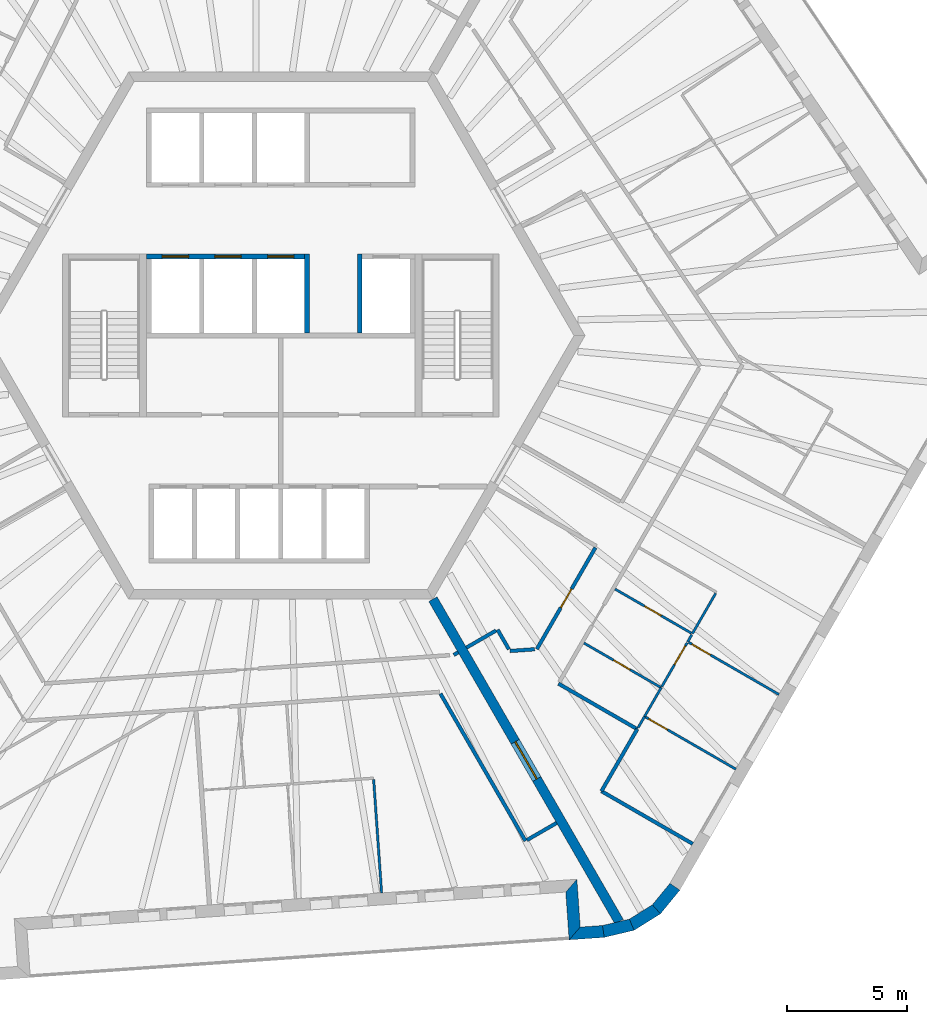
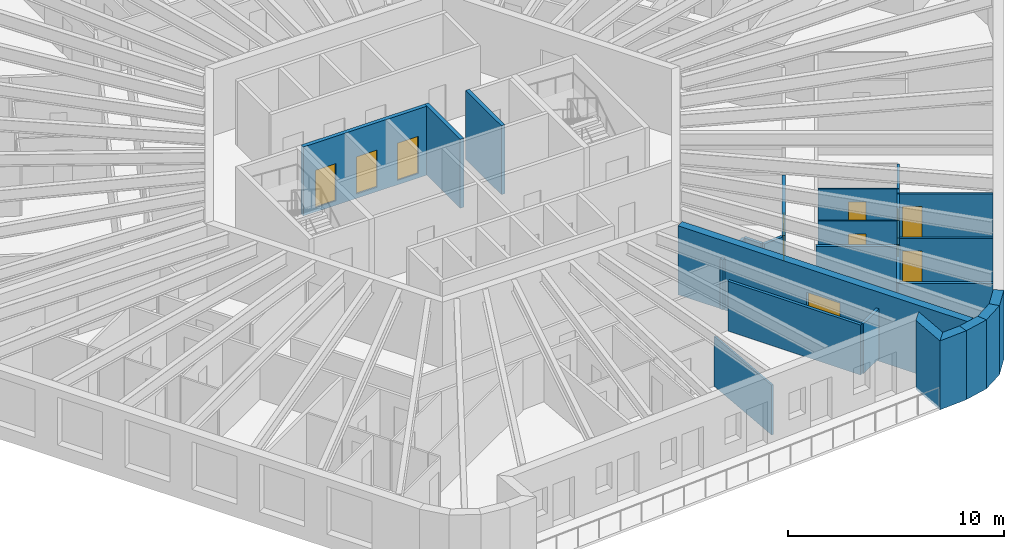
# One storey, part 6 of 12: 29 walls, 10 doors, 10 openings.
"""IFC4 building model written with IfcOpenShell, lengths in metres."""

from ifc_helpers import new_model, si_unit, direction, frame, frame_2d, origin, place, context, subcontext, project, spatial, polyline, rectangle, outline, extrude, material, layer, layer_set, type_object, element, fill, save


model = new_model("IFC4")

# Units and contexts
model_context = context("Model", 3, precision=1e-05, world=origin(), true_north=direction((0.0, 1.0)))
body_context = subcontext(model_context, "Body", "Model", "MODEL_VIEW")
ifc_project = project(units=[si_unit("LENGTHUNIT", "METRE"), si_unit("AREAUNIT", "SQUARE_METRE"), si_unit("VOLUMEUNIT", "CUBIC_METRE"), si_unit("PLANEANGLEUNIT", "RADIAN"), si_unit("MASSUNIT", "GRAM", prefix="KILO")], contexts=[model_context])

# Site, building, storey
site_placement = place(None, origin())
site = spatial("IfcSite", under=ifc_project, at=site_placement, CompositionType="ELEMENT")
building_placement = place(site_placement, origin())
building = spatial("IfcBuilding", under=site, at=building_placement, Name="Tarnside Tower", CompositionType="ELEMENT")
storey_placement = place(building_placement, frame((0.0, 0.0, 264.0)))
storey = spatial("IfcBuildingStorey", under=building, at=storey_placement, Name="L63", CompositionType="ELEMENT", Elevation=264.0)

# Wall
ifc_material_1 = material(Name="Gypsum board partition on steel studs", Category="steel")
ifc_layer_1 = layer(ifc_material_1, 0.10009765625)
ifc_layer_set_1 = layer_set([ifc_layer_1], Name="Bathroom wall 100")
wall_type_1 = type_object("IfcWallType", Name="Bathroom wall 100", PredefinedType="PARTITIONING", material=ifc_layer_set_1)
wall_1_placement = place(storey_placement, frame((18.155029296875, -10.75439453125, 0.0), z_axis=(0.0, 0.0, 1.0), x_axis=(-0.49989585183, -0.866085525409, 0.0)))
element("IfcWall", 1, at=wall_1_placement, inside=storey, type_object=wall_type_1, Name="Bathroom wall 20142", PredefinedType="PARTITIONING", context=body_context, shape_type="SweptSolid", body=[
    extrude(rectangle(XDim=1.9501953125, YDim=0.10009765625, at=frame_2d((0.97509765625, 0.0))), origin(), (0.0, 0.0, 1.0), 2.823486328125),
])

# Wall, opening, door
wall_2_placement = place(storey_placement, frame((12.654052734375, -12.83251953125, 0.0), z_axis=(0.0, 0.0, 1.0), x_axis=(0.866056803351, -0.499945610411, 0.0)))
wall_2 = element("IfcWall", 2, at=wall_2_placement, inside=storey, type_object=wall_type_1, Name="Bathroom wall 20145", PredefinedType="PARTITIONING", context=body_context, shape_type="SweptSolid", body=[
    extrude(rectangle(XDim=3.72509765625, YDim=0.10009765625, at=frame_2d((1.862548828125, 0.0))), origin(), (0.0, 0.0, 1.0), 2.823486328125),
])
opening_1_placement = place(wall_2_placement, frame((1.425048828125, 0.0, 0.0)))
opening_1 = element("IfcOpeningElement", 3, at=opening_1_placement, cuts=wall_2, Name="Opening D-B1", PredefinedType="OPENING", context=body_context, shape_type="SweptSolid", body=[
    extrude(rectangle(XDim=0.800048828125, YDim=2.10009765625, at=frame_2d((0.39990234375, 1.050048828125))), frame((0.0, 0.06005859375, 0.0), z_axis=(0.0, -1.0, 0.0), x_axis=(1.0, 0.0, 0.0)), (0.0, 0.0, 1.0), 0.1201171875),
])
ifc_material_2 = material(Name="Timber door leaf", Category="wood")
door_type_1 = type_object("IfcDoorType", Name="Bathroom door 800", OperationType="NOTDEFINED", PredefinedType="DOOR", material=ifc_material_2)
door_1_placement = place(opening_1_placement, origin())
door_1 = element("IfcDoor", 4, at=door_1_placement, inside=storey, type_object=door_type_1, Name="Bathroom door 20051", OperationType="SINGLE_SWING_RIGHT", OverallHeight=2.10009765625, OverallWidth=0.800048828125, PredefinedType="DOOR", context=body_context, shape_type="SweptSolid", body=[
    extrude(rectangle(XDim=0.800048828125, YDim=2.10009765625, at=frame_2d((0.39990234375, 1.050048828125))), frame((0.0, 0.02490234375, 0.0), z_axis=(0.0, -1.0, 0.0), x_axis=(1.0, 0.0, 0.0)), (0.0, 0.0, 1.0), 0.050048828125),
])
fill(opening_1, door_1)

wall_3_placement = place(storey_placement, frame((17.13671875, -12.418212890625, 0.0), z_axis=(0.0, 0.0, 1.0), x_axis=(-0.866035129944, 0.499983153418, 0.0)))
wall_3 = element("IfcWall", 5, at=wall_3_placement, inside=storey, type_object=wall_type_1, Name="Bathroom wall 20147", PredefinedType="PARTITIONING", context=body_context, shape_type="SweptSolid", body=[
    extrude(rectangle(XDim=3.675048828125, YDim=0.10009765625, at=frame_2d((1.83740234375, 0.0))), origin(), (0.0, 0.0, 1.0), 2.823486328125),
])
opening_2_placement = place(wall_3_placement, frame((1.449951171875, 0.0, 0.0)))
opening_2 = element("IfcOpeningElement", 6, at=opening_2_placement, cuts=wall_3, Name="Opening D-B1", PredefinedType="OPENING", context=body_context, shape_type="SweptSolid", body=[
    extrude(rectangle(XDim=0.800048828125, YDim=2.10009765625, at=frame_2d((0.39990234375, 1.050048828125))), frame((0.0, 0.06005859375, 0.0), z_axis=(0.0, -1.0, 0.0), x_axis=(1.0, 0.0, 0.0)), (0.0, 0.0, 1.0), 0.1201171875),
])
door_2_placement = place(opening_2_placement, origin())
door_2 = element("IfcDoor", 7, at=door_2_placement, inside=storey, type_object=door_type_1, Name="Bathroom door 20060", OperationType="SINGLE_SWING_RIGHT", OverallHeight=2.10009765625, OverallWidth=0.800048828125, PredefinedType="DOOR", context=body_context, shape_type="SweptSolid", body=[
    extrude(rectangle(XDim=0.800048828125, YDim=2.10009765625, at=frame_2d((0.39990234375, 1.050048828125))), frame((0.0, 0.02490234375, 0.0), z_axis=(0.0, -1.0, 0.0), x_axis=(1.0, 0.0, 0.0)), (0.0, 0.0, 1.0), 0.050048828125),
])
fill(opening_2, door_2)

# Walls
wall_4_placement = place(storey_placement, frame((14.91650390625, -16.36376953125, 0.0), z_axis=(0.0, 0.0, 1.0), x_axis=(0.500141487433, 0.865943700565, 0.0)))
element("IfcWall", 8, at=wall_4_placement, inside=storey, type_object=wall_type_1, Name="Bathroom wall 20148", PredefinedType="PARTITIONING", context=body_context, shape_type="SweptSolid", body=[
    extrude(rectangle(XDim=0.537841796875, YDim=0.10009765625, at=frame_2d((0.26904296875, 0.0))), origin(), (0.0, 0.0, 1.0), 2.823486328125),
])
wall_5_placement = place(storey_placement, frame((15.185546875, -15.89794921875, 0.0), z_axis=(0.0, 0.0, 1.0), x_axis=(0.4999705729, 0.866042392862, 0.0)))
element("IfcWall", 9, at=wall_5_placement, inside=storey, type_object=wall_type_1, Name="Bathroom wall 20149", PredefinedType="PARTITIONING", context=body_context, shape_type="SweptSolid", body=[
    extrude(rectangle(XDim=1.39111328125, YDim=0.10009765625, at=frame_2d((0.695556640625, 0.0))), origin(), (0.0, 0.0, 1.0), 2.823486328125),
])

# Wall, opening, door
ifc_material_3 = material(Name="Concrete C60/75", Category="concrete")
ifc_layer_2 = layer(ifc_material_3, 0.39990234375)
ifc_layer_set_2 = layer_set([ifc_layer_2], Name="Core wall Z3 400 C60/75")
wall_type_2 = type_object("IfcWallType", Name="Core wall Z3 400 C60/75", PredefinedType="SHEAR", material=ifc_layer_set_2)
wall_6_placement = place(storey_placement, frame((6.350830078125, -11.0, -0.14990234375), z_axis=(0.0, 0.0, 1.0), x_axis=(0.499998894578, -0.866026041999, 0.0)))
wall_6 = element("IfcWall", 10, at=wall_6_placement, inside=storey, type_object=wall_type_2, Name="L63 spine wall 3", PredefinedType="SHEAR", context=body_context, shape_type="SweptSolid", body=[
    extrude(rectangle(XDim=15.54443359375, YDim=0.39990234375, at=frame_2d((7.772216796875, 0.0))), origin(), (0.0, 0.0, 1.0), 3.89990234375),
])
opening_3_placement = place(wall_6_placement, frame((6.872314453125, 0.0, 0.14990234375)))
opening_3 = element("IfcOpeningElement", 11, at=opening_3_placement, cuts=wall_6, Name="Opening CD-SPN", PredefinedType="OPENING", context=body_context, shape_type="SweptSolid", body=[
    extrude(rectangle(XDim=1.800048828125, YDim=2.39990234375, at=frame_2d((0.89990234375, 1.199951171875))), frame((0.0, 0.2099609375, 0.0), z_axis=(0.0, -1.0, 0.0), x_axis=(1.0, 0.0, 0.0)), (0.0, 0.0, 1.0), 0.419921875),
])
ifc_material_4 = material(Name="Steel fire door", Category="steel")
door_type_2 = type_object("IfcDoorType", Name="Spine passage double door FD60 1800x2400", OperationType="NOTDEFINED", PredefinedType="DOOR", material=ifc_material_4)
door_3_placement = place(opening_3_placement, origin())
door_3 = element("IfcDoor", 12, at=door_3_placement, inside=storey, type_object=door_type_2, Name="L63 spine passage door 3", OperationType="DOUBLE_DOOR_SINGLE_SWING", OverallHeight=2.39990234375, OverallWidth=1.800048828125, PredefinedType="DOOR", context=body_context, shape_type="SweptSolid", body=[
    extrude(rectangle(XDim=1.800048828125, YDim=2.39990234375, at=frame_2d((0.89990234375, 1.199951171875))), frame((0.0, 0.02490234375, 0.0), z_axis=(0.0, -1.0, 0.0), x_axis=(1.0, 0.0, 0.0)), (0.0, 0.0, 1.0), 0.050048828125),
])
fill(opening_3, door_3)

# Walls
ifc_layer_3 = layer(ifc_material_1, 0.14990234375)
ifc_layer_set_3 = layer_set([ifc_layer_3], Name="Corridor wall 150 EI 60")
wall_type_3 = type_object("IfcWallType", Name="Corridor wall 150 EI 60", PredefinedType="PARTITIONING", material=ifc_layer_set_3)
wall_7_placement = place(storey_placement, frame((6.666259765625, -14.9462890625, 0.0), z_axis=(0.0, 0.0, 1.0), x_axis=(0.499979539361, -0.866037216418, 0.0)))
element("IfcWall", 13, at=wall_7_placement, inside=storey, type_object=wall_type_3, Name="Corridor wall 20039", PredefinedType="PARTITIONING", context=body_context, shape_type="SweptSolid", body=[
    extrude(rectangle(XDim=7.096923828125, YDim=0.14990234375, at=frame_2d((3.54833984375, 0.0))), origin(), (0.0, 0.0, 1.0), 2.823486328125),
])
wall_8_placement = place(storey_placement, frame((10.27978515625, -21.054931640625, 0.0), z_axis=(0.0, 0.0, 1.0), x_axis=(0.866020080793, 0.500009219579, 0.0)))
element("IfcWall", 14, at=wall_8_placement, inside=storey, type_object=wall_type_3, Name="Corridor wall 20040", PredefinedType="PARTITIONING", context=body_context, shape_type="SweptSolid", body=[
    extrude(rectangle(XDim=1.4248046875, YDim=0.14990234375, at=frame_2d((0.71240234375, 0.0))), origin(), (0.0, 0.0, 1.0), 2.823486328125),
])
wall_9_placement = place(storey_placement, frame((7.40380859375, -13.2236328125, 0.0), z_axis=(0.0, 0.0, 1.0), x_axis=(-0.866088799389, -0.499890179513, 0.0)))
element("IfcWall", 15, at=wall_9_placement, inside=storey, type_object=wall_type_3, Name="Corridor wall 20048", PredefinedType="PARTITIONING", context=body_context, shape_type="SweptSolid", body=[
    extrude(rectangle(XDim=0.2099609375, YDim=0.14990234375, at=frame_2d((0.10498046875, 0.0))), origin(), (0.0, 0.0, 1.0), 2.823486328125),
])
wall_10_placement = place(storey_placement, frame((14.880126953125, -16.427001953125, 0.0), z_axis=(0.0, 0.0, 1.0), x_axis=(-0.86601654697, 0.500015340139, 0.0)))
element("IfcWall", 16, at=wall_10_placement, inside=storey, type_object=wall_type_3, Name="Corridor wall 20054", PredefinedType="PARTITIONING", context=body_context, shape_type="SweptSolid", body=[
    extrude(rectangle(XDim=3.80029296875, YDim=0.14990234375, at=frame_2d((1.900146484375, 0.0))), origin(), (0.0, 0.0, 1.0), 2.823486328125),
])
wall_11_placement = place(storey_placement, frame((13.38623046875, -19.014404296875, 0.0), z_axis=(0.0, 0.0, 1.0), x_axis=(0.500009728207, 0.866019787128, 0.0)))
element("IfcWall", 17, at=wall_11_placement, inside=storey, type_object=wall_type_3, Name="Corridor wall 20056", PredefinedType="PARTITIONING", context=body_context, shape_type="SweptSolid", body=[
    extrude(rectangle(XDim=2.99169921875, YDim=0.14990234375, at=frame_2d((1.495849609375, 0.0))), origin(), (0.0, 0.0, 1.0), 2.823486328125),
])
wall_12_placement = place(storey_placement, frame((17.196044921875, -21.215576171875, 0.0), z_axis=(0.0, 0.0, 1.0), x_axis=(-0.866010893236, 0.500025132165, 0.0)))
element("IfcWall", 18, at=wall_12_placement, inside=storey, type_object=wall_type_3, Name="Corridor wall 20057", PredefinedType="PARTITIONING", context=body_context, shape_type="SweptSolid", body=[
    extrude(rectangle(XDim=4.398681640625, YDim=0.14990234375, at=frame_2d((2.19921875, 0.0))), origin(), (0.0, 0.0, 1.0), 2.823486328125),
])

# Wall, opening, door
wall_13_placement = place(storey_placement, frame((13.13525390625, -8.849365234375, 0.0), z_axis=(0.0, 0.0, 1.0), x_axis=(-0.500024829938, -0.866011067739, 0.0)))
wall_13 = element("IfcWall", 19, at=wall_13_placement, inside=storey, type_object=wall_type_3, Name="Corridor wall 20074", PredefinedType="PARTITIONING", context=body_context, shape_type="SweptSolid", body=[
    extrude(rectangle(XDim=4.892333984375, YDim=0.14990234375, at=frame_2d((2.4462890625, 0.0))), origin(), (0.0, 0.0, 1.0), 2.823486328125),
])
opening_4_placement = place(wall_13_placement, frame((1.996337890625, 0.0, 0.0)))
opening_4 = element("IfcOpeningElement", 20, at=opening_4_placement, cuts=wall_13, Name="Opening D-S1", PredefinedType="OPENING", context=body_context, shape_type="SweptSolid", body=[
    extrude(rectangle(XDim=0.89990234375, YDim=2.10009765625, at=frame_2d((0.449951171875, 1.050048828125))), frame((0.0, 0.0849609375, 0.0), z_axis=(0.0, -1.0, 0.0), x_axis=(1.0, 0.0, 0.0)), (0.0, 0.0, 1.0), 0.169921875),
])
door_type_3 = type_object("IfcDoorType", Name="Service room door 900 FD30S", OperationType="NOTDEFINED", PredefinedType="DOOR", material=ifc_material_2)
door_4_placement = place(opening_4_placement, origin())
door_4 = element("IfcDoor", 21, at=door_4_placement, inside=storey, type_object=door_type_3, Name="Service door 20076", OperationType="SINGLE_SWING_LEFT", OverallHeight=2.10009765625, OverallWidth=0.89990234375, PredefinedType="DOOR", context=body_context, shape_type="SweptSolid", body=[
    extrude(rectangle(XDim=0.89990234375, YDim=2.10009765625, at=frame_2d((0.449951171875, 1.050048828125))), frame((0.0, 0.02490234375, 0.0), z_axis=(0.0, -1.0, 0.0), x_axis=(1.0, 0.0, 0.0)), (0.0, 0.0, 1.0), 0.050048828125),
])
fill(opening_4, door_4)

# Walls
wall_14_placement = place(storey_placement, frame((10.5986328125, -13.092529296875, 0.0), z_axis=(0.0, 0.0, 1.0), x_axis=(-0.99755453913, -0.069892356245, 0.0)))
element("IfcWall", 22, at=wall_14_placement, inside=storey, type_object=wall_type_3, Name="Corridor wall 20075", PredefinedType="PARTITIONING", context=body_context, shape_type="SweptSolid", body=[
    extrude(rectangle(XDim=1.037353515625, YDim=0.14990234375, at=frame_2d((0.5185546875, 0.0))), origin(), (0.0, 0.0, 1.0), 2.823486328125),
])
wall_15_placement = place(storey_placement, frame((9.52197265625, -13.0927734375, 0.0), z_axis=(0.0, 0.0, 1.0), x_axis=(-0.499804398801, 0.866138304741, 0.0)))
element("IfcWall", 23, at=wall_15_placement, inside=storey, type_object=wall_type_3, Name="Corridor wall 20076", PredefinedType="PARTITIONING", context=body_context, shape_type="SweptSolid", body=[
    extrude(rectangle(XDim=0.94580078125, YDim=0.14990234375, at=frame_2d((0.472900390625, 0.0))), origin(), (0.0, 0.0, 1.0), 2.823486328125),
])
wall_16_placement = place(storey_placement, frame((8.984130859375, -12.311279296875, 0.0), z_axis=(0.0, 0.0, 1.0), x_axis=(-0.866020080793, -0.500009219579, 0.0)))
element("IfcWall", 24, at=wall_16_placement, inside=storey, type_object=wall_type_3, Name="Corridor wall 20077", PredefinedType="PARTITIONING", context=body_context, shape_type="SweptSolid", body=[
    extrude(rectangle(XDim=1.4248046875, YDim=0.14990234375, at=frame_2d((0.71240234375, 0.0))), origin(), (0.0, 0.0, 1.0), 2.823486328125),
])

# Wall, openings, doors
ifc_material_5 = material(Name="Concrete C40/50", Category="concrete")
ifc_layer_4 = layer(ifc_material_5, 0.199951171875)
ifc_layer_set_4 = layer_set([ifc_layer_4], Name="Lift shaft wall 200 C40/50")
wall_type_4 = type_object("IfcWallType", Name="Lift shaft wall 200 C40/50", PredefinedType="SHEAR", material=ifc_layer_set_4)
wall_17_placement = place(storey_placement, frame((-5.60009765625, 3.300048828125, -0.25), z_axis=(0.0, 0.0, 1.0), x_axis=(1.0, 0.0, 0.0)))
wall_17 = element("IfcWall", 25, at=wall_17_placement, inside=storey, type_object=wall_type_4, Name="L63 lift shaft front wall R2", PredefinedType="SHEAR", context=body_context, shape_type="SweptSolid", body=[
    extrude(rectangle(XDim=6.60009765625, YDim=0.199951171875, at=frame_2d((3.300048828125, 0.0))), origin(), (0.0, 0.0, 1.0), 3.89990234375),
])
opening_5_placement = place(wall_17_placement, frame((0.64990234375, 0.0, 0.25)))
opening_5 = element("IfcOpeningElement", 26, at=opening_5_placement, cuts=wall_17, Name="Opening LD", PredefinedType="OPENING", context=body_context, shape_type="SweptSolid", body=[
    extrude(rectangle(XDim=1.10009765625, YDim=2.10009765625, at=frame_2d((0.550048828125, 1.050048828125))), frame((0.0, 0.10986328125, 0.0), z_axis=(0.0, -1.0, 0.0), x_axis=(1.0, 0.0, 0.0)), (0.0, 0.0, 1.0), 0.219970703125),
])
opening_6_placement = place(wall_17_placement, frame((2.85009765625, 0.0, 0.25)))
opening_6 = element("IfcOpeningElement", 27, at=opening_6_placement, cuts=wall_17, Name="Opening LD", PredefinedType="OPENING", context=body_context, shape_type="SweptSolid", body=[
    extrude(rectangle(XDim=1.10009765625, YDim=2.10009765625, at=frame_2d((0.550048828125, 1.050048828125))), frame((0.0, 0.10986328125, 0.0), z_axis=(0.0, -1.0, 0.0), x_axis=(1.0, 0.0, 0.0)), (0.0, 0.0, 1.0), 0.219970703125),
])
opening_7_placement = place(wall_17_placement, frame((5.050048828125, 0.0, 0.25)))
opening_7 = element("IfcOpeningElement", 28, at=opening_7_placement, cuts=wall_17, Name="Opening LD", PredefinedType="OPENING", context=body_context, shape_type="SweptSolid", body=[
    extrude(rectangle(XDim=1.10009765625, YDim=2.10009765625, at=frame_2d((0.550048828125, 1.050048828125))), frame((0.0, 0.10986328125, 0.0), z_axis=(0.0, -1.0, 0.0), x_axis=(1.0, 0.0, 0.0)), (0.0, 0.0, 1.0), 0.219970703125),
])
ifc_material_6 = material(Name="Stainless steel", Category="steel")
door_type_4 = type_object("IfcDoorType", Name="Lift landing door 1100x2100", OperationType="NOTDEFINED", PredefinedType="DOOR", material=ifc_material_6)
door_5_placement = place(opening_5_placement, origin())
door_5 = element("IfcDoor", 29, at=door_5_placement, inside=storey, type_object=door_type_4, Name="High-rise lift 4 landing door L63", OperationType="SLIDING_TO_LEFT", OverallHeight=2.10009765625, OverallWidth=1.10009765625, PredefinedType="DOOR", context=body_context, shape_type="SweptSolid", body=[
    extrude(rectangle(XDim=1.10009765625, YDim=2.10009765625, at=frame_2d((0.550048828125, 1.050048828125))), frame((0.0, 0.02490234375, 0.0), z_axis=(0.0, -1.0, 0.0), x_axis=(1.0, 0.0, 0.0)), (0.0, 0.0, 1.0), 0.050048828125),
])
fill(opening_5, door_5)
door_6_placement = place(opening_6_placement, origin())
door_6 = element("IfcDoor", 30, at=door_6_placement, inside=storey, type_object=door_type_4, Name="High-rise lift 5 landing door L63", OperationType="SLIDING_TO_LEFT", OverallHeight=2.10009765625, OverallWidth=1.10009765625, PredefinedType="DOOR", context=body_context, shape_type="SweptSolid", body=[
    extrude(rectangle(XDim=1.10009765625, YDim=2.10009765625, at=frame_2d((0.550048828125, 1.050048828125))), frame((0.0, 0.02490234375, 0.0), z_axis=(0.0, -1.0, 0.0), x_axis=(1.0, 0.0, 0.0)), (0.0, 0.0, 1.0), 0.050048828125),
])
fill(opening_6, door_6)
door_7_placement = place(opening_7_placement, origin())
door_7 = element("IfcDoor", 31, at=door_7_placement, inside=storey, type_object=door_type_4, Name="High-rise lift 6 landing door L63", OperationType="SLIDING_TO_LEFT", OverallHeight=2.10009765625, OverallWidth=1.10009765625, PredefinedType="DOOR", context=body_context, shape_type="SweptSolid", body=[
    extrude(rectangle(XDim=1.10009765625, YDim=2.10009765625, at=frame_2d((0.550048828125, 1.050048828125))), frame((0.0, 0.02490234375, 0.0), z_axis=(0.0, -1.0, 0.0), x_axis=(1.0, 0.0, 0.0)), (0.0, 0.0, 1.0), 0.050048828125),
])
fill(opening_7, door_7)

# Walls
for number, where, z_axis, x_axis, name in (
    (32, (1.10009765625, 0.10009765625, -0.25), (0.0, 0.0, 1.0), (0.0, 1.0, 0.0), "L63 lift shaft partition R24"),
    (33, (3.300048828125, 0.10009765625, -0.25), (0.0, 0.0, 1.0), (0.0, 1.0, 0.0), "L63 lift shaft partition R25"),
):
    element("IfcWall", number, at=place(storey_placement, frame(where, z_axis=z_axis, x_axis=x_axis)), inside=storey, type_object=wall_type_4, Name=name, PredefinedType="SHEAR", context=body_context, shape_type="SweptSolid", body=[
        extrude(rectangle(XDim=3.2998046875, YDim=0.199951171875, at=frame_2d((1.64990234375, 0.0))), origin(), (0.0, 0.0, 1.0), 3.89990234375),
    ])
ifc_material_7 = material(Name="Dark zinc cladding")
ifc_layer_5 = layer(ifc_material_7, 0.10205078125)
ifc_material_8 = material(Name="Concrete C60/75 precast", Category="concrete")
ifc_layer_6 = layer(ifc_material_8, 0.298095703125)
ifc_material_9 = material(Name="Mineral wool insulation")
ifc_layer_7 = layer(ifc_material_9, 0.10009765625)
ifc_layer_set_5 = layer_set([ifc_layer_5, ifc_layer_6, ifc_layer_7], Name="Loggia wall 500 zinc faced")
wall_type_5 = type_object("IfcWallType", Name="Loggia wall 500 zinc faced", PredefinedType="SOLIDWALL", material=ifc_layer_set_5)
wall_18_placement = place(storey_placement, frame((12.128662109375, -22.9599609375, -0.14990234375), z_axis=(0.0, 0.0, 1.0), x_axis=(0.069824268692, -0.99755930726, 0.0)))
element("IfcWall", 34, at=wall_18_placement, inside=storey, type_object=wall_type_5, Name="Tube wall L63 F4 return 19", PredefinedType="SOLIDWALL", context=body_context, shape_type="SweptSolid", body=[
    extrude(outline(polyline([(0.25, -0.25), (2.25, -0.25), (1.75, 0.25), (-0.25, 0.25), (0.25, -0.25)])), origin(), (0.0, 0.0, 1.0), 3.89990234375),
])
wall_19_placement = place(storey_placement, frame((12.268310546875, -24.955078125, -0.14990234375), z_axis=(0.0, 0.0, 1.0), x_axis=(0.997561942506, 0.06978660948, 0.0)))
element("IfcWall", 35, at=wall_19_placement, inside=storey, type_object=wall_type_5, Name="Tube wall L63 F4 stub 20", PredefinedType="SOLIDWALL", context=body_context, shape_type="SweptSolid", body=[
    extrude(outline(polyline([(-0.25, -0.25), (1.220458984375, -0.25), (1.179443359375, 0.25), (0.25, 0.25), (-0.25, -0.25)])), origin(), (0.0, 0.0, 1.0), 3.89990234375),
])
ifc_layer_8 = layer(ifc_material_1, 0.10009765625)
ifc_layer_set_6 = layer_set([ifc_layer_8], Name="Partition 100")
wall_type_6 = type_object("IfcWallType", Name="Partition 100", PredefinedType="PARTITIONING", material=ifc_layer_set_6)
wall_20_placement = place(storey_placement, frame((3.876953125, -18.524658203125, 0.0), z_axis=(0.0, 0.0, 1.0), x_axis=(0.069745758817, -0.997564799463, 0.0)))
element("IfcWall", 36, at=wall_20_placement, inside=storey, type_object=wall_type_6, Name="Partition wall 20133", PredefinedType="PARTITIONING", context=body_context, shape_type="SweptSolid", body=[
    extrude(rectangle(XDim=4.75, YDim=0.10009765625, at=frame_2d((2.375, 0.0))), origin(), (0.0, 0.0, 1.0), 2.823486328125),
])
wall_21_placement = place(storey_placement, frame((17.155029296875, -12.486572265625, 0.0), z_axis=(0.0, 0.0, 1.0), x_axis=(-0.499681137129, -0.866209421097, 0.0)))
element("IfcWall", 37, at=wall_21_placement, inside=storey, type_object=wall_type_6, Name="Partition wall 20139", PredefinedType="PARTITIONING", context=body_context, shape_type="SweptSolid", body=[
    extrude(rectangle(XDim=0.341064453125, YDim=0.10009765625, at=frame_2d((0.17041015625, 0.0))), origin(), (0.0, 0.0, 1.0), 2.823486328125),
])

# Wall, opening, door
wall_22_placement = place(storey_placement, frame((17.02880859375, -12.80517578125, 0.0), z_axis=(0.0, 0.0, 1.0), x_axis=(0.866027639635, -0.499996127374, 0.0)))
wall_22 = element("IfcWall", 38, at=wall_22_placement, inside=storey, type_object=wall_type_6, Name="Partition wall 20140", PredefinedType="PARTITIONING", context=body_context, shape_type="SweptSolid", body=[
    extrude(rectangle(XDim=4.35009765625, YDim=0.10009765625, at=frame_2d((2.175048828125, 0.0))), origin(), (0.0, 0.0, 1.0), 2.823486328125),
])
opening_8_placement = place(wall_22_placement, frame((0.14990234375, 0.0, 0.0)))
opening_8 = element("IfcOpeningElement", 39, at=opening_8_placement, cuts=wall_22, Name="Opening D-I1", PredefinedType="OPENING", context=body_context, shape_type="SweptSolid", body=[
    extrude(rectangle(XDim=0.89990234375, YDim=2.10009765625, at=frame_2d((0.449951171875, 1.050048828125))), frame((0.0, 0.06005859375, 0.0), z_axis=(0.0, -1.0, 0.0), x_axis=(1.0, 0.0, 0.0)), (0.0, 0.0, 1.0), 0.1201171875),
])
door_type_5 = type_object("IfcDoorType", Name="Internal door 900", OperationType="NOTDEFINED", PredefinedType="DOOR", material=ifc_material_2)
door_8_placement = place(opening_8_placement, origin())
door_8 = element("IfcDoor", 40, at=door_8_placement, inside=storey, type_object=door_type_5, Name="Internal door 20059", OperationType="SINGLE_SWING_RIGHT", OverallHeight=2.10009765625, OverallWidth=0.89990234375, PredefinedType="DOOR", context=body_context, shape_type="SweptSolid", body=[
    extrude(rectangle(XDim=0.89990234375, YDim=2.10009765625, at=frame_2d((0.449951171875, 1.050048828125))), frame((0.0, 0.02490234375, 0.0), z_axis=(0.0, -1.0, 0.0), x_axis=(1.0, 0.0, 0.0)), (0.0, 0.0, 1.0), 0.050048828125),
])
fill(opening_8, door_8)

wall_23_placement = place(storey_placement, frame((15.904052734375, -14.6533203125, 0.0), z_axis=(0.0, 0.0, 1.0), x_axis=(0.499979177903, 0.866037425094, 0.0)))
wall_23 = element("IfcWall", 41, at=wall_23_placement, inside=storey, type_object=wall_type_6, Name="Partition wall 20146", PredefinedType="PARTITIONING", context=body_context, shape_type="SweptSolid", body=[
    extrude(rectangle(XDim=2.11279296875, YDim=0.10009765625, at=frame_2d((1.056396484375, 0.0))), origin(), (0.0, 0.0, 1.0), 2.823486328125),
])
opening_9_placement = place(wall_23_placement, frame((1.06298828125, 0.0, 0.0)))
opening_9 = element("IfcOpeningElement", 42, at=opening_9_placement, cuts=wall_23, Name="Opening D-I1", PredefinedType="OPENING", context=body_context, shape_type="SweptSolid", body=[
    extrude(rectangle(XDim=0.89990234375, YDim=2.10009765625, at=frame_2d((0.449951171875, 1.050048828125))), frame((0.0, 0.06005859375, 0.0), z_axis=(0.0, -1.0, 0.0), x_axis=(1.0, 0.0, 0.0)), (0.0, 0.0, 1.0), 0.1201171875),
])
door_9_placement = place(opening_9_placement, origin())
door_9 = element("IfcDoor", 43, at=door_9_placement, inside=storey, type_object=door_type_5, Name="Internal door 20054", OperationType="SINGLE_SWING_RIGHT", OverallHeight=2.10009765625, OverallWidth=0.89990234375, PredefinedType="DOOR", context=body_context, shape_type="SweptSolid", body=[
    extrude(rectangle(XDim=0.89990234375, YDim=2.10009765625, at=frame_2d((0.449951171875, 1.050048828125))), frame((0.0, 0.02490234375, 0.0), z_axis=(0.0, -1.0, 0.0), x_axis=(1.0, 0.0, 0.0)), (0.0, 0.0, 1.0), 0.050048828125),
])
fill(opening_9, door_9)

wall_24_placement = place(storey_placement, frame((18.99609375, -18.097900390625, 0.0), z_axis=(0.0, 0.0, 1.0), x_axis=(-0.866027639635, 0.499996127374, 0.0)))
wall_24 = element("IfcWall", 44, at=wall_24_placement, inside=storey, type_object=wall_type_6, Name="Partition wall 20150", PredefinedType="PARTITIONING", context=body_context, shape_type="SweptSolid", body=[
    extrude(rectangle(XDim=4.35009765625, YDim=0.10009765625, at=frame_2d((2.175048828125, 0.0))), origin(), (0.0, 0.0, 1.0), 2.823486328125),
])
opening_10_placement = place(wall_24_placement, frame((3.300048828125, 0.0, 0.0)))
opening_10 = element("IfcOpeningElement", 45, at=opening_10_placement, cuts=wall_24, Name="Opening D-I1", PredefinedType="OPENING", context=body_context, shape_type="SweptSolid", body=[
    extrude(rectangle(XDim=0.89990234375, YDim=2.10009765625, at=frame_2d((0.449951171875, 1.050048828125))), frame((0.0, 0.06005859375, 0.0), z_axis=(0.0, -1.0, 0.0), x_axis=(1.0, 0.0, 0.0)), (0.0, 0.0, 1.0), 0.1201171875),
])
door_10_placement = place(opening_10_placement, origin())
door_10 = element("IfcDoor", 46, at=door_10_placement, inside=storey, type_object=door_type_5, Name="Internal door 20057", OperationType="SINGLE_SWING_RIGHT", OverallHeight=2.10009765625, OverallWidth=0.89990234375, PredefinedType="DOOR", context=body_context, shape_type="SweptSolid", body=[
    extrude(rectangle(XDim=0.89990234375, YDim=2.10009765625, at=frame_2d((0.449951171875, 1.050048828125))), frame((0.0, 0.02490234375, 0.0), z_axis=(0.0, -1.0, 0.0), x_axis=(1.0, 0.0, 0.0)), (0.0, 0.0, 1.0), 0.050048828125),
])
fill(opening_10, door_10)

# Walls
ifc_material_10 = material(Name="Facing brick", Category="masonry")
ifc_layer_9 = layer(ifc_material_10, 0.10205078125)
ifc_layer_10 = layer(ifc_material_8, 0.298095703125)
ifc_layer_11 = layer(ifc_material_9, 0.10009765625)
ifc_layer_set_7 = layer_set([ifc_layer_9, ifc_layer_10, ifc_layer_11], Name="Tube wall 500 brick faced")
wall_type_7 = type_object("IfcWallType", Name="Tube wall 500 brick faced", PredefinedType="SOLIDWALL", material=ifc_layer_set_7)
wall_25_placement = place(storey_placement, frame((13.46533203125, -24.871337890625, -0.14990234375), z_axis=(0.0, 0.0, 1.0), x_axis=(0.973044740285, 0.230616420501, 0.0)))
element("IfcWall", 47, at=wall_25_placement, inside=storey, type_object=wall_type_7, Name="Tube wall L63 F4 chord 21", PredefinedType="SOLIDWALL", context=body_context, shape_type="SweptSolid", body=[
    extrude(outline(polyline([(-0.0205078125, -0.25), (1.25732421875, -0.25), (1.17529296875, 0.25), (0.0205078125, 0.25), (-0.0205078125, -0.25)])), origin(), (0.0, 0.0, 1.0), 3.89990234375),
])
wall_26_placement = place(storey_placement, frame((14.64892578125, -24.5908203125, -0.14990234375), z_axis=(0.0, 0.0, 1.0), x_axis=(0.848054682072, 0.529908724419, 0.0)))
element("IfcWall", 48, at=wall_26_placement, inside=storey, type_object=wall_type_7, Name="Tube wall L63 F4 chord 22", PredefinedType="SOLIDWALL", context=body_context, shape_type="SweptSolid", body=[
    extrude(outline(polyline([(-0.041015625, -0.25), (1.25732421875, -0.25), (1.17529296875, 0.25), (0.041015625, 0.25), (-0.041015625, -0.25)])), origin(), (0.0, 0.0, 1.0), 3.89990234375),
])
wall_27_placement = place(storey_placement, frame((15.680419921875, -23.9462890625, -0.14990234375), z_axis=(0.0, 0.0, 1.0), x_axis=(0.633805934167, 0.773492105852, 0.0)))
element("IfcWall", 49, at=wall_27_placement, inside=storey, type_object=wall_type_7, Name="Tube wall L63 F4 chord 23", PredefinedType="SOLIDWALL", context=body_context, shape_type="SweptSolid", body=[
    extrude(outline(polyline([(-0.041015625, -0.25), (1.237060546875, -0.25), (1.196044921875, 0.25), (0.041015625, 0.25), (-0.041015625, -0.25)])), origin(), (0.0, 0.0, 1.0), 3.89990234375),
])

save(model, "model.ifc")
